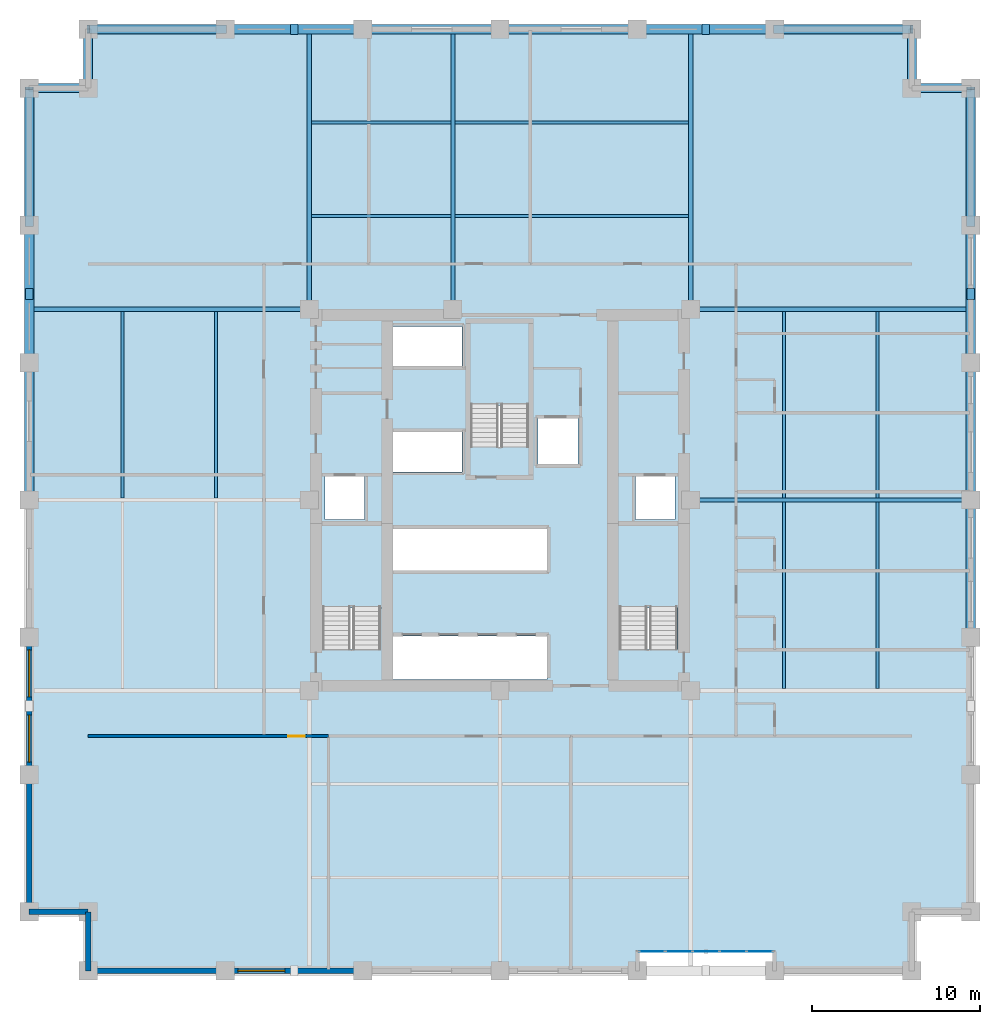
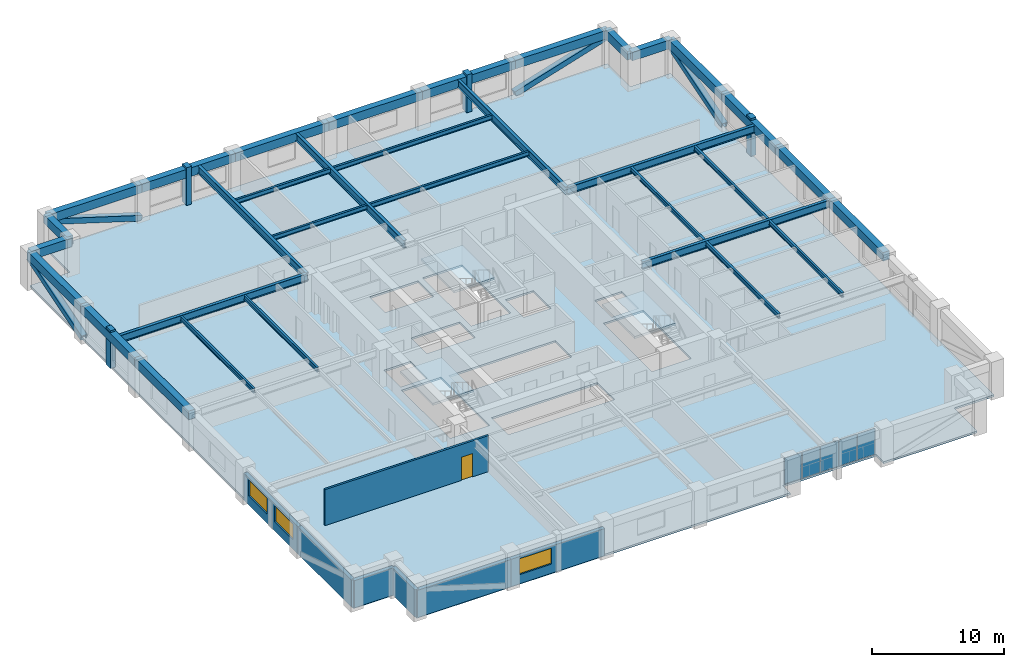
# One storey, part 3 of 9: 33 beams, 8 members, 7 walls, 5 plates, 4 slabs, 3 windows, 1 door, 4 openings, 4 elements without a shape of their own.
"""IFC4 building model written with IfcOpenShell, lengths in metres."""

from ifc_helpers import new_model, si_unit, direction, frame, frame_2d, origin, origin_2d, place, context, subcontext, project, spatial, polyline, rectangle, hollow_rectangle, i_section, outline, extrude, material, layer, layer_set, material_profile, profile_set, type_object, element, fill, aggregate, save


model = new_model("IFC4")

# Units and contexts
model_context = context("Model", 3, precision=1e-05, world=origin(), true_north=direction((0.0, 1.0)))
body_context = subcontext(model_context, "Body", "Model", "MODEL_VIEW")
ifc_project = project(units=[si_unit("LENGTHUNIT", "METRE"), si_unit("AREAUNIT", "SQUARE_METRE"), si_unit("VOLUMEUNIT", "CUBIC_METRE"), si_unit("PLANEANGLEUNIT", "RADIAN"), si_unit("MASSUNIT", "GRAM", prefix="KILO")], contexts=[model_context])

# Site, building, storey
site_placement = place(None, origin())
site = spatial("IfcSite", under=ifc_project, at=site_placement, CompositionType="ELEMENT")
building_placement = place(site_placement, origin())
building = spatial("IfcBuilding", under=site, at=building_placement, Name="Nhamokura Convention Tower", CompositionType="ELEMENT")
storey_placement = place(building_placement, frame((0.0, 0.0, 66.85009765625)))
storey = spatial("IfcBuildingStorey", under=building, at=storey_placement, Name="L15", CompositionType="ELEMENT", Elevation=66.85009765625)

# Members
ifc_material_1 = material(Name="Bronze-pigmented precast concrete C45/55", Category="concrete")
ifc_material_profile_1 = material_profile(ifc_material_1, rectangle(XDim=0.449951171875, YDim=0.64990234375, at=origin_2d()))
ifc_profile_set_1 = profile_set([ifc_material_profile_1], Name="Bronze-pigmented precast concrete C45/55")
member_type_1 = type_object("IfcMemberType", Name="BronzePilaster_650", PredefinedType="USERDEFINED", material=ifc_profile_set_1)
for number, where, z_axis, x_axis, name in (
    (1, (19.75, 60.0, 0.0), (0.0, 0.0, 1.0), (1.0, 0.0, 0.0), "L15 Engaged Frame Pilaster NORTH 1"),
    (2, (44.25, 60.0, 0.0), (0.0, 0.0, 1.0), (1.0, 0.0, 0.0), "L15 Engaged Frame Pilaster NORTH 4"),
    (3, (4.0, 44.25, 0.0), (0.0, 0.0, 1.0), (1.0, 0.0, 0.0), "L15 Engaged Frame Pilaster WEST 4"),
    (4, (60.0, 44.25, 0.0), (0.0, 0.0, 1.0), (1.0, 0.0, 0.0), "L15 Engaged Frame Pilaster EAST 4"),
):
    element("IfcMember", number, at=place(storey_placement, frame(where, z_axis=z_axis, x_axis=x_axis)), inside=storey, type_object=member_type_1, Name=name, ObjectType="PILASTER_TRIM", PredefinedType="USERDEFINED", context=body_context, shape_type="SweptSolid", body=[
        extrude(rectangle(XDim=0.449951171875, YDim=0.64990234375, at=origin_2d()), origin(), (0.0, 0.0, 1.0), 3.5),
    ])

# Beams
ifc_material_2 = material(Name="Steel ASTM A992 Gr 50", Category="steel")
ifc_material_profile_2 = material_profile(ifc_material_2, i_section(OverallWidth=0.178955078125, OverallDepth=0.409912109375, WebThickness=0.0087890625, FlangeThickness=0.014404296875, at=origin_2d()))
ifc_profile_set_2 = profile_set([ifc_material_profile_2], Name="Steel ASTM A992 Gr 50")
beam_type_1 = type_object("IfcBeamType", Name="FloorJoist_W410X67", PredefinedType="JOIST", material=ifc_profile_set_2)
beam_1_placement = place(storey_placement, frame((20.77587890625, 48.89990234375, 3.114990234375), z_axis=(1.0, 0.0, 0.0), x_axis=(0.0, 1.0, 0.0)))
element("IfcBeam", 5, at=beam_1_placement, inside=storey, type_object=beam_type_1, Name="L15 Composite Floor Joist N1A", PredefinedType="JOIST", context=body_context, shape_type="SweptSolid", body=[
    extrude(i_section(OverallWidth=0.178955078125, OverallDepth=0.409912109375, WebThickness=0.0087890625, FlangeThickness=0.014404296875, at=origin_2d()), origin(), (0.0, 0.0, 1.0), 8.298095703125),
])
beam_2_placement = place(storey_placement, frame((29.325927734375, 48.89990234375, 3.114990234375), z_axis=(1.0, 0.0, 0.0), x_axis=(0.0, 1.0, 0.0)))
element("IfcBeam", 6, at=beam_2_placement, inside=storey, type_object=beam_type_1, Name="L15 Composite Floor Joist N1B", PredefinedType="JOIST", context=body_context, shape_type="SweptSolid", body=[
    extrude(i_section(OverallWidth=0.178955078125, OverallDepth=0.409912109375, WebThickness=0.0087890625, FlangeThickness=0.014404296875, at=origin_2d()), origin(), (0.0, 0.0, 1.0), 13.898193359375),
])
beam_3_placement = place(storey_placement, frame((20.77587890625, 54.449951171875, 3.114990234375), z_axis=(1.0, 0.0, 0.0), x_axis=(0.0, 1.0, 0.0)))
element("IfcBeam", 7, at=beam_3_placement, inside=storey, type_object=beam_type_1, Name="L15 Composite Floor Joist N2A", PredefinedType="JOIST", context=body_context, shape_type="SweptSolid", body=[
    extrude(i_section(OverallWidth=0.178955078125, OverallDepth=0.409912109375, WebThickness=0.0087890625, FlangeThickness=0.014404296875, at=origin_2d()), origin(), (0.0, 0.0, 1.0), 8.298095703125),
])
beam_4_placement = place(storey_placement, frame((29.325927734375, 54.449951171875, 3.114990234375), z_axis=(1.0, 0.0, 0.0), x_axis=(0.0, 1.0, 0.0)))
element("IfcBeam", 8, at=beam_4_placement, inside=storey, type_object=beam_type_1, Name="L15 Composite Floor Joist N2B", PredefinedType="JOIST", context=body_context, shape_type="SweptSolid", body=[
    extrude(i_section(OverallWidth=0.178955078125, OverallDepth=0.409912109375, WebThickness=0.0087890625, FlangeThickness=0.014404296875, at=origin_2d()), origin(), (0.0, 0.0, 1.0), 13.898193359375),
])
for number, where, z_axis, x_axis, name in (
    (9, (9.550048828125, 32.1259765625, 3.114990234375), (0.0, 1.0, 0.0), (-1.0, 0.0, 0.0), "L15 Composite Floor Joist W1B"),
    (10, (15.10009765625, 32.1259765625, 3.114990234375), (0.0, 1.0, 0.0), (-1.0, 0.0, 0.0), "L15 Composite Floor Joist W2B"),
    (11, (48.89990234375, 20.77587890625, 3.114990234375), (0.0, 1.0, 0.0), (-1.0, 0.0, 0.0), "L15 Composite Floor Joist E1A"),
    (12, (48.89990234375, 32.1259765625, 3.114990234375), (0.0, 1.0, 0.0), (-1.0, 0.0, 0.0), "L15 Composite Floor Joist E1B"),
    (13, (54.449951171875, 20.77587890625, 3.114990234375), (0.0, 1.0, 0.0), (-1.0, 0.0, 0.0), "L15 Composite Floor Joist E2A"),
    (14, (54.449951171875, 32.1259765625, 3.114990234375), (0.0, 1.0, 0.0), (-1.0, 0.0, 0.0), "L15 Composite Floor Joist E2B"),
):
    element("IfcBeam", number, at=place(storey_placement, frame(where, z_axis=z_axis, x_axis=x_axis)), inside=storey, type_object=beam_type_1, Name=name, PredefinedType="JOIST", context=body_context, shape_type="SweptSolid", body=[
        extrude(i_section(OverallWidth=0.178955078125, OverallDepth=0.409912109375, WebThickness=0.0087890625, FlangeThickness=0.014404296875, at=origin_2d()), origin(), (0.0, 0.0, 1.0), 11.09814453125),
    ])
ifc_material_3 = material(Name="Steel ASTM A992 Gr 50", Category="steel")
ifc_material_profile_3 = material_profile(ifc_material_3, i_section(OverallWidth=0.256103515625, OverallDepth=0.693115234375, WebThickness=0.014404296875, FlangeThickness=0.023681640625, at=origin_2d()))
ifc_profile_set_3 = profile_set([ifc_material_profile_3], Name="Steel ASTM A992 Gr 50")
beam_type_2 = type_object("IfcBeamType", Name="PrimaryGirder_W690X170", PredefinedType="BEAM", material=ifc_profile_set_3)
for number, where, z_axis, x_axis, name in (
    (15, (20.64990234375, 43.35009765625, 2.973388671875), (0.0, 1.0, 0.0), (-1.0, 0.0, 0.0), "L15 Primary Floor Girder PG-N1"),
    (16, (29.199951171875, 43.35009765625, 2.973388671875), (0.0, 1.0, 0.0), (-1.0, 0.0, 0.0), "L15 Primary Floor Girder PG-N2"),
    (17, (43.35009765625, 43.35009765625, 2.973388671875), (0.0, 1.0, 0.0), (-1.0, 0.0, 0.0), "L15 Primary Floor Girder PG-N3"),
    (18, (4.0, 43.35009765625, 2.973388671875), (1.0, 0.0, 0.0), (0.0, 1.0, 0.0), "L15 Primary Floor Girder PG-W3"),
    (19, (43.35009765625, 32.0, 2.973388671875), (1.0, 0.0, 0.0), (0.0, 1.0, 0.0), "L15 Primary Floor Girder PG-E2"),
    (20, (43.35009765625, 43.35009765625, 2.973388671875), (1.0, 0.0, 0.0), (0.0, 1.0, 0.0), "L15 Primary Floor Girder PG-E3"),
):
    element("IfcBeam", number, at=place(storey_placement, frame(where, z_axis=z_axis, x_axis=x_axis)), inside=storey, type_object=beam_type_2, Name=name, PredefinedType="BEAM", context=body_context, shape_type="SweptSolid", body=[
        extrude(i_section(OverallWidth=0.256103515625, OverallDepth=0.693115234375, WebThickness=0.014404296875, FlangeThickness=0.023681640625, at=origin_2d()), origin(), (0.0, 0.0, 1.0), 16.64990234375),
    ])

# Members
ifc_material_4 = material(Name="Steel ASTM A572 Gr 50", Category="steel")
ifc_material_profile_4 = material_profile(ifc_material_4, hollow_rectangle(XDim=0.5, YDim=0.5, WallThickness=0.02490234375, at=origin_2d()))
ifc_profile_set_4 = profile_set([ifc_material_profile_4], Name="Steel ASTM A572 Gr 50")
member_type_2 = type_object("IfcMemberType", Name="TubeBrace_HSS500", PredefinedType="BRACE", material=ifc_profile_set_4)
for number, where, z_axis, x_axis, name in (
    (21, (15.666748046875, 60.0, 0.14990234375), (-0.955542765986, 0.0, 0.294852543437), (0.0, -1.0, 0.0), "L15 Perimeter Tube Brace NORTH Bay 0"),
    (22, (48.333251953125, 60.0, 0.14990234375), (0.955542765986, 0.0, 0.294852543437), (0.0, 1.0, 0.0), "L15 Perimeter Tube Brace NORTH Bay 5"),
    (23, (4.0, 48.333251953125, 0.14990234375), (0.0, 0.955542765986, 0.294852543437), (-1.0, 0.0, 0.0), "L15 Perimeter Tube Brace WEST Bay 5"),
    (24, (60.0, 48.333251953125, 0.14990234375), (0.0, 0.955542765986, 0.294852543437), (-1.0, 0.0, 0.0), "L15 Perimeter Tube Brace EAST Bay 5"),
):
    element("IfcMember", number, at=place(storey_placement, frame(where, z_axis=z_axis, x_axis=x_axis)), inside=storey, type_object=member_type_2, Name=name, PredefinedType="BRACE", context=body_context, shape_type="SweptSolid", body=[
        extrude(hollow_rectangle(XDim=0.5, YDim=0.5, WallThickness=0.02490234375, at=origin_2d()), origin(), (0.0, 0.0, 1.0), 8.546630859375),
    ])

# Beams
ifc_material_5 = material(Name="Concrete C50/60", Category="concrete")
ifc_material_profile_5 = material_profile(ifc_material_5, rectangle(XDim=0.550048828125, YDim=0.800048828125, at=origin_2d()))
ifc_profile_set_5 = profile_set([ifc_material_profile_5], Name="Concrete C50/60")
beam_type_3 = type_object("IfcBeamType", Name="TubeSpandrel_800", PredefinedType="SPANDREL", material=ifc_profile_set_5)
beam_5_placement = place(storey_placement, frame((7.5, 60.0, 2.919921875), z_axis=(1.0, 0.0, 0.0), x_axis=(0.0, 1.0, 0.0)))
element("IfcBeam", 25, at=beam_5_placement, inside=storey, type_object=beam_type_3, Name="L15 Perimeter Spandrel NORTH 1", PredefinedType="SPANDREL", context=body_context, shape_type="SweptSolid", body=[
    extrude(rectangle(XDim=0.550048828125, YDim=0.800048828125, at=origin_2d()), origin(), (0.0, 0.0, 1.0), 8.166748046875),
])
beam_6_placement = place(storey_placement, frame((15.666748046875, 60.0, 2.919921875), z_axis=(1.0, 0.0, 0.0), x_axis=(0.0, 1.0, 0.0)))
element("IfcBeam", 26, at=beam_6_placement, inside=storey, type_object=beam_type_3, Name="L15 Perimeter Spandrel NORTH 2", PredefinedType="SPANDREL", context=body_context, shape_type="SweptSolid", body=[
    extrude(rectangle(XDim=0.550048828125, YDim=0.800048828125, at=origin_2d()), origin(), (0.0, 0.0, 1.0), 8.16650390625),
])
for number, where, z_axis, x_axis, name in (
    (27, (23.833251953125, 60.0, 2.919921875), (1.0, 0.0, 0.0), (0.0, 1.0, 0.0), "L15 Perimeter Spandrel NORTH 3"),
    (28, (32.0, 60.0, 2.919921875), (1.0, 0.0, 0.0), (0.0, 1.0, 0.0), "L15 Perimeter Spandrel NORTH 4"),
):
    element("IfcBeam", number, at=place(storey_placement, frame(where, z_axis=z_axis, x_axis=x_axis)), inside=storey, type_object=beam_type_3, Name=name, PredefinedType="SPANDREL", context=body_context, shape_type="SweptSolid", body=[
        extrude(rectangle(XDim=0.550048828125, YDim=0.800048828125, at=origin_2d()), origin(), (0.0, 0.0, 1.0), 8.166748046875),
    ])
beam_7_placement = place(storey_placement, frame((40.166748046875, 60.0, 2.919921875), z_axis=(1.0, 0.0, 0.0), x_axis=(0.0, 1.0, 0.0)))
element("IfcBeam", 29, at=beam_7_placement, inside=storey, type_object=beam_type_3, Name="L15 Perimeter Spandrel NORTH 5", PredefinedType="SPANDREL", context=body_context, shape_type="SweptSolid", body=[
    extrude(rectangle(XDim=0.550048828125, YDim=0.800048828125, at=origin_2d()), origin(), (0.0, 0.0, 1.0), 8.16650390625),
])
for number, where, z_axis, x_axis, name in (
    (30, (48.333251953125, 60.0, 2.919921875), (1.0, 0.0, 0.0), (0.0, 1.0, 0.0), "L15 Perimeter Spandrel NORTH 6"),
    (31, (4.0, 32.0, 2.919921875), (0.0, 1.0, 0.0), (-1.0, 0.0, 0.0), "L15 Perimeter Spandrel WEST 4"),
):
    element("IfcBeam", number, at=place(storey_placement, frame(where, z_axis=z_axis, x_axis=x_axis)), inside=storey, type_object=beam_type_3, Name=name, PredefinedType="SPANDREL", context=body_context, shape_type="SweptSolid", body=[
        extrude(rectangle(XDim=0.550048828125, YDim=0.800048828125, at=origin_2d()), origin(), (0.0, 0.0, 1.0), 8.166748046875),
    ])
beam_8_placement = place(storey_placement, frame((4.0, 40.166748046875, 2.919921875), z_axis=(0.0, 1.0, 0.0), x_axis=(-1.0, 0.0, 0.0)))
element("IfcBeam", 32, at=beam_8_placement, inside=storey, type_object=beam_type_3, Name="L15 Perimeter Spandrel WEST 5", PredefinedType="SPANDREL", context=body_context, shape_type="SweptSolid", body=[
    extrude(rectangle(XDim=0.550048828125, YDim=0.800048828125, at=origin_2d()), origin(), (0.0, 0.0, 1.0), 8.16650390625),
])
for number, where, z_axis, x_axis, name in (
    (33, (4.0, 48.333251953125, 2.919921875), (0.0, 1.0, 0.0), (-1.0, 0.0, 0.0), "L15 Perimeter Spandrel WEST 6"),
    (34, (60.0, 23.833251953125, 2.919921875), (0.0, 1.0, 0.0), (-1.0, 0.0, 0.0), "L15 Perimeter Spandrel EAST 3"),
    (35, (60.0, 32.0, 2.919921875), (0.0, 1.0, 0.0), (-1.0, 0.0, 0.0), "L15 Perimeter Spandrel EAST 4"),
):
    element("IfcBeam", number, at=place(storey_placement, frame(where, z_axis=z_axis, x_axis=x_axis)), inside=storey, type_object=beam_type_3, Name=name, PredefinedType="SPANDREL", context=body_context, shape_type="SweptSolid", body=[
        extrude(rectangle(XDim=0.550048828125, YDim=0.800048828125, at=origin_2d()), origin(), (0.0, 0.0, 1.0), 8.166748046875),
    ])
beam_9_placement = place(storey_placement, frame((60.0, 40.166748046875, 2.919921875), z_axis=(0.0, 1.0, 0.0), x_axis=(-1.0, 0.0, 0.0)))
element("IfcBeam", 36, at=beam_9_placement, inside=storey, type_object=beam_type_3, Name="L15 Perimeter Spandrel EAST 5", PredefinedType="SPANDREL", context=body_context, shape_type="SweptSolid", body=[
    extrude(rectangle(XDim=0.550048828125, YDim=0.800048828125, at=origin_2d()), origin(), (0.0, 0.0, 1.0), 8.16650390625),
])
beam_10_placement = place(storey_placement, frame((60.0, 48.333251953125, 2.919921875), z_axis=(0.0, 1.0, 0.0), x_axis=(-1.0, 0.0, 0.0)))
element("IfcBeam", 37, at=beam_10_placement, inside=storey, type_object=beam_type_3, Name="L15 Perimeter Spandrel EAST 6", PredefinedType="SPANDREL", context=body_context, shape_type="SweptSolid", body=[
    extrude(rectangle(XDim=0.550048828125, YDim=0.800048828125, at=origin_2d()), origin(), (0.0, 0.0, 1.0), 8.166748046875),
])
for number, where, z_axis, x_axis, name in (
    (38, (60.0, 56.5, 2.919921875), (-1.0, 0.0, 0.0), (0.0, -1.0, 0.0), "L15 Notch Spandrel NE1"),
    (39, (56.5, 56.5, 2.919921875), (0.0, 1.0, 0.0), (-1.0, 0.0, 0.0), "L15 Notch Spandrel NE2"),
    (40, (7.5, 60.0, 2.919921875), (0.0, -1.0, 0.0), (1.0, 0.0, 0.0), "L15 Notch Spandrel NW1"),
    (41, (7.5, 56.5, 2.919921875), (-1.0, 0.0, 0.0), (0.0, -1.0, 0.0), "L15 Notch Spandrel NW2"),
):
    element("IfcBeam", number, at=place(storey_placement, frame(where, z_axis=z_axis, x_axis=x_axis)), inside=storey, type_object=beam_type_3, Name=name, PredefinedType="SPANDREL", context=body_context, shape_type="SweptSolid", body=[
        extrude(rectangle(XDim=0.550048828125, YDim=0.800048828125, at=origin_2d()), origin(), (0.0, 0.0, 1.0), 3.5),
    ])

# Curtain wall, plates
ifc_material_6 = material(Name="Anodised bronze aluminium AA6063-T6", Category="aluminium")
ifc_layer_1 = layer(ifc_material_6, 0.1650390625)
ifc_layer_set_1 = layer_set([ifc_layer_1], Name="CWSystem_ScaleSlot_Zone1")
curtain_wall_type = type_object("IfcCurtainWallType", Name="CWSystem_ScaleSlot_Zone1", PredefinedType="NOTDEFINED", material=ifc_layer_set_1)
curtain_wall_placement = place(storey_placement, origin())
curtain_wall = element("IfcCurtainWall", 42, at=curtain_wall_placement, inside=storey, type_object=curtain_wall_type, Name="L15 Curtain Wall ENV-L15-SLOT-S4", PredefinedType="NOTDEFINED")
ifc_material_7 = material(Name="Solar-control bronze low-E double glass", Category="glass")
ifc_layer_2 = layer(ifc_material_7, 0.031982421875)
ifc_layer_set_2 = layer_set([ifc_layer_2], Name="CWGlazedPanel_1")
plate_type = type_object("IfcPlateType", Name="CWGlazedPanel_1", PredefinedType="CURTAIN_PANEL", material=ifc_layer_set_2)
plate_1_placement = place(storey_placement, frame((47.452392578125, 5.14990234375, 0.06494140625), z_axis=(0.0, 0.0, 1.0), x_axis=(-1.0, 0.0, 0.0)))
plate_1 = element("IfcPlate", 43, at=plate_1_placement, type_object=plate_type, Name="CW-03 panel 1.1", PredefinedType="CURTAIN_PANEL", context=body_context, shape_type="SweptSolid", body=[
    extrude(rectangle(XDim=1.51171875, YDim=0.031982421875, at=origin_2d()), origin(), (0.0, 0.0, 1.0), 2.389892578125),
])
plate_2_placement = place(storey_placement, frame((45.859375, 5.14990234375, 0.06494140625), z_axis=(0.0, 0.0, 1.0), x_axis=(-1.0, 0.0, 0.0)))
plate_2 = element("IfcPlate", 44, at=plate_2_placement, type_object=plate_type, Name="CW-03 panel 2.1", PredefinedType="CURTAIN_PANEL", context=body_context, shape_type="SweptSolid", body=[
    extrude(rectangle(XDim=1.54443359375, YDim=0.031982421875, at=origin_2d()), origin(), (0.0, 0.0, 1.0), 2.389892578125),
])
plate_3_placement = place(storey_placement, frame((44.25, 5.14990234375, 0.06494140625), z_axis=(0.0, 0.0, 1.0), x_axis=(-1.0, 0.0, 0.0)))
plate_3 = element("IfcPlate", 45, at=plate_3_placement, type_object=plate_type, Name="CW-03 panel 3.1", PredefinedType="CURTAIN_PANEL", context=body_context, shape_type="SweptSolid", body=[
    extrude(rectangle(XDim=1.54443359375, YDim=0.031982421875, at=origin_2d()), origin(), (0.0, 0.0, 1.0), 2.389892578125),
])
plate_4_placement = place(storey_placement, frame((42.640625, 5.14990234375, 0.06494140625), z_axis=(0.0, 0.0, 1.0), x_axis=(-1.0, 0.0, 0.0)))
plate_4 = element("IfcPlate", 46, at=plate_4_placement, type_object=plate_type, Name="CW-03 panel 4.1", PredefinedType="CURTAIN_PANEL", context=body_context, shape_type="SweptSolid", body=[
    extrude(rectangle(XDim=1.54443359375, YDim=0.031982421875, at=origin_2d()), origin(), (0.0, 0.0, 1.0), 2.389892578125),
])
plate_5_placement = place(storey_placement, frame((41.047607421875, 5.14990234375, 0.06494140625), z_axis=(0.0, 0.0, 1.0), x_axis=(-1.0, 0.0, 0.0)))
plate_5 = element("IfcPlate", 47, at=plate_5_placement, type_object=plate_type, Name="CW-03 panel 5.1", PredefinedType="CURTAIN_PANEL", context=body_context, shape_type="SweptSolid", body=[
    extrude(rectangle(XDim=1.51171875, YDim=0.031982421875, at=origin_2d()), origin(), (0.0, 0.0, 1.0), 2.389892578125),
])
aggregate(curtain_wall, [plate_1, plate_2, plate_3, plate_4, plate_5])

# Slab
ifc_material_8 = material(Name="Concrete C40/50", Category="concrete")
ifc_layer_3 = layer(ifc_material_8, 0.179931640625)
ifc_layer_set_3 = layer_set([ifc_layer_3], Name="HotelFloorSlab_180")
slab_type_1 = type_object("IfcSlabType", Name="HotelFloorSlab_180", PredefinedType="FLOOR", material=ifc_layer_set_3)
slab_1_placement = place(storey_placement, frame((0.0, 0.0, -0.18017578125)))
element("IfcSlab", 48, at=slab_1_placement, inside=storey, type_object=slab_type_1, Name="L15 Structural Floor Slab", PredefinedType="FLOOR", context=body_context, shape_type="SweptSolid", body=[
    extrude(outline(polyline([(7.5, 4.0), (40.166748046875, 4.0), (40.166748046875, 5.14990234375), (48.333251953125, 5.14990234375), (48.333251953125, 4.0), (56.5, 4.0), (56.5, 7.5), (60.0, 7.5), (60.0, 56.5), (56.5, 56.5), (56.5, 60.0), (7.5, 60.0), (7.5, 56.5), (4.0, 56.5), (4.0, 7.5), (7.5, 7.5), (7.5, 4.0)]), holes=[polyline([(24.89990234375, 23.10009765625), (24.89990234375, 30.449951171875), (21.449951171875, 30.449951171875), (21.449951171875, 23.10009765625), (24.89990234375, 23.10009765625)]), polyline([(42.550048828125, 23.10009765625), (42.550048828125, 30.449951171875), (39.10009765625, 30.449951171875), (39.10009765625, 23.10009765625), (42.550048828125, 23.10009765625)]), polyline([(33.699951171875, 35.14990234375), (33.699951171875, 42.5), (30.25, 42.5), (30.25, 35.14990234375), (33.699951171875, 35.14990234375)]), polyline([(21.60009765625, 30.85009765625), (23.949951171875, 30.85009765625), (23.949951171875, 33.39990234375), (21.60009765625, 33.39990234375), (21.60009765625, 30.85009765625)]), polyline([(40.050048828125, 30.85009765625), (42.39990234375, 30.85009765625), (42.39990234375, 33.39990234375), (40.050048828125, 33.39990234375), (40.050048828125, 30.85009765625)]), polyline([(34.25, 34.14990234375), (36.64990234375, 34.14990234375), (36.64990234375, 36.85009765625), (34.25, 36.85009765625), (34.25, 34.14990234375)]), polyline([(25.52001953125, 21.320068359375), (34.800048828125, 21.320068359375), (34.800048828125, 23.89990234375), (25.52001953125, 23.89990234375), (25.52001953125, 21.320068359375)]), polyline([(25.52001953125, 27.800048828125), (34.800048828125, 27.800048828125), (34.800048828125, 30.300048828125), (25.52001953125, 30.300048828125), (25.52001953125, 27.800048828125)]), polyline([(25.52001953125, 33.679931640625), (29.75, 33.679931640625), (29.75, 36.050048828125), (25.52001953125, 36.050048828125), (25.52001953125, 33.679931640625)]), polyline([(25.52001953125, 39.949951171875), (29.75, 39.949951171875), (29.75, 42.320068359375), (25.52001953125, 42.320068359375), (25.52001953125, 39.949951171875)])]), origin(), (0.0, 0.0, 1.0), 0.18017578125),
])

# Stair, slab
ifc_material_9 = material(Name="Concrete C40/50", Category="concrete")
stair_type = type_object("IfcStairType", Name="TowerCoreStair_1650", PredefinedType="HALF_TURN_STAIR", material=ifc_material_9)
stair_1_placement = place(storey_placement, origin())
stair_1 = element("IfcStair", 49, at=stair_1_placement, inside=storey, type_object=stair_type, Name="L15 West Core Smokeproof Stair ST-01", PredefinedType="HALF_TURN_STAIR")
ifc_material_10 = material(Name="Concrete C40/50", Category="concrete")
ifc_layer_4 = layer(ifc_material_10, 0.199951171875)
ifc_layer_set_4 = layer_set([ifc_layer_4], Name="StairLandingSlab_200")
slab_type_2 = type_object("IfcSlabType", Name="StairLandingSlab_200", PredefinedType="LANDING", material=ifc_layer_set_4)
slab_2_placement = place(storey_placement, frame((0.0, 0.0, 1.5498046875)))
slab_2 = element("IfcSlab", 50, at=slab_2_placement, type_object=slab_type_2, Name="ST-01 landing 1", PredefinedType="LANDING", context=body_context, shape_type="SweptSolid", body=[
    extrude(outline(polyline([(24.97998046875, 25.5849609375), (24.97998046875, 30.530029296875), (21.3701171875, 30.530029296875), (21.3701171875, 25.5849609375), (24.97998046875, 25.5849609375)])), origin(), (0.0, 0.0, 1.0), 0.2001953125),
])
aggregate(stair_1, [slab_2])

stair_2_placement = place(storey_placement, origin())
stair_2 = element("IfcStair", 51, at=stair_2_placement, inside=storey, type_object=stair_type, Name="L15 East Core Smokeproof Stair ST-02", PredefinedType="HALF_TURN_STAIR")
slab_3_placement = place(storey_placement, frame((0.0, 0.0, 1.5498046875)))
slab_3 = element("IfcSlab", 52, at=slab_3_placement, type_object=slab_type_2, Name="ST-02 landing 1", PredefinedType="LANDING", context=body_context, shape_type="SweptSolid", body=[
    extrude(outline(polyline([(42.6298828125, 25.5849609375), (42.6298828125, 30.530029296875), (39.02001953125, 30.530029296875), (39.02001953125, 25.5849609375), (42.6298828125, 25.5849609375)])), origin(), (0.0, 0.0, 1.0), 0.2001953125),
])
aggregate(stair_2, [slab_3])

stair_3_placement = place(storey_placement, origin())
stair_3 = element("IfcStair", 53, at=stair_3_placement, inside=storey, type_object=stair_type, Name="L15 North Core Smokeproof Stair ST-03", PredefinedType="HALF_TURN_STAIR")
slab_4_placement = place(storey_placement, frame((0.0, 0.0, 1.5498046875)))
slab_4 = element("IfcSlab", 54, at=slab_4_placement, type_object=slab_type_2, Name="ST-03 landing 1", PredefinedType="LANDING", context=body_context, shape_type="SweptSolid", body=[
    extrude(outline(polyline([(33.780029296875, 37.635009765625), (33.780029296875, 42.580078125), (30.169921875, 42.580078125), (30.169921875, 37.635009765625), (33.780029296875, 37.635009765625)])), origin(), (0.0, 0.0, 1.0), 0.2001953125),
])
aggregate(stair_3, [slab_4])

# Wall
ifc_material_11 = material(Name="Bronze-pigmented precast concrete C45/55", Category="concrete")
ifc_layer_5 = layer(ifc_material_11, 0.320068359375)
ifc_layer_set_5 = layer_set([ifc_layer_5], Name="BronzePrecastSpandrel_320")
wall_type_1 = type_object("IfcWallType", Name="BronzePrecastSpandrel_320", PredefinedType="USERDEFINED", material=ifc_layer_set_5)
wall_1_placement = place(storey_placement, frame((15.666748046875, 4.0, 0.0), z_axis=(0.0, 0.0, 1.0), x_axis=(-1.0, 0.0, 0.0)))
element("IfcWall", 55, at=wall_1_placement, inside=storey, type_object=wall_type_1, Name="L15 Braced-Bay Precast Wall SOUTH 0", ObjectType="SPANDREL_WALL", PredefinedType="USERDEFINED", context=body_context, shape_type="SweptSolid", body=[
    extrude(rectangle(XDim=8.166748046875, YDim=0.320068359375, at=frame_2d((4.08349609375, 0.0))), origin(), (0.0, 0.0, 1.0), 2.52001953125),
])

# Wall, opening, window
wall_2_placement = place(storey_placement, frame((23.833251953125, 4.0, 0.0), z_axis=(0.0, 0.0, 1.0), x_axis=(-1.0, 0.0, 0.0)))
wall_2 = element("IfcWall", 56, at=wall_2_placement, inside=storey, type_object=wall_type_1, Name="L15 Masonry-Frame Wall SOUTH 1", ObjectType="SPANDREL_WALL", PredefinedType="USERDEFINED", context=body_context, shape_type="SweptSolid", body=[
    extrude(rectangle(XDim=8.16650390625, YDim=0.320068359375, at=frame_2d((4.083251953125, 0.0))), origin(), (0.0, 0.0, 1.0), 2.52001953125),
])
opening_1_placement = place(wall_2_placement, frame((4.625, 0.0, 0.85009765625)))
opening_1 = element("IfcOpeningElement", 57, at=opening_1_placement, cuts=wall_2, Name="Opening W-04", PredefinedType="OPENING", context=body_context, shape_type="SweptSolid", body=[
    extrude(rectangle(XDim=2.800048828125, YDim=1.469970703125, at=frame_2d((1.39990234375, 0.73486328125))), frame((0.0, 0.169921875, 0.0), z_axis=(0.0, -1.0, 0.0), x_axis=(1.0, 0.0, 0.0)), (0.0, 0.0, 1.0), 0.340087890625),
])
ifc_material_12 = material(Name="Solar-control bronze low-E double glass", Category="glass")
window_type = type_object("IfcWindowType", Name="HotelSuiteWindow_2800", PartitioningType="DOUBLE_PANEL_VERTICAL", PredefinedType="WINDOW", material=ifc_material_12)
window_1_placement = place(opening_1_placement, origin())
window_1 = element("IfcWindow", 58, at=window_1_placement, inside=storey, type_object=window_type, Name="L15 Facade Window SOUTH 1-3", OverallHeight=1.469970703125, OverallWidth=2.800048828125, PartitioningType="SINGLE_PANEL", PredefinedType="WINDOW", context=body_context, shape_type="SweptSolid", body=[
    extrude(rectangle(XDim=2.800048828125, YDim=1.469970703125, at=frame_2d((1.39990234375, 0.73486328125))), frame((0.0, 0.030029296875, 0.0), z_axis=(0.0, -1.0, 0.0), x_axis=(1.0, 0.0, 0.0)), (0.0, 0.0, 1.0), 0.06005859375),
])
fill(opening_1, window_1)

# Wall
wall_3_placement = place(storey_placement, frame((4.0, 7.5, 0.0), z_axis=(0.0, 0.0, 1.0), x_axis=(0.0, 1.0, 0.0)))
element("IfcWall", 59, at=wall_3_placement, inside=storey, type_object=wall_type_1, Name="L15 Braced-Bay Precast Wall WEST 0", ObjectType="SPANDREL_WALL", PredefinedType="USERDEFINED", context=body_context, shape_type="SweptSolid", body=[
    extrude(rectangle(XDim=8.166748046875, YDim=0.320068359375, at=frame_2d((4.08349609375, 0.0))), origin(), (0.0, 0.0, 1.0), 2.52001953125),
])

# Wall, openings, windows
wall_4_placement = place(storey_placement, frame((4.0, 15.666748046875, 0.0), z_axis=(0.0, 0.0, 1.0), x_axis=(0.0, 1.0, 0.0)))
wall_4 = element("IfcWall", 60, at=wall_4_placement, inside=storey, type_object=wall_type_1, Name="L15 Masonry-Frame Wall WEST 1", ObjectType="SPANDREL_WALL", PredefinedType="USERDEFINED", context=body_context, shape_type="SweptSolid", body=[
    extrude(rectangle(XDim=8.16650390625, YDim=0.320068359375, at=frame_2d((4.083251953125, 0.0))), origin(), (0.0, 0.0, 1.0), 2.52001953125),
])
opening_2_placement = place(wall_4_placement, frame((0.74169921875, 0.0, 0.85009765625)))
opening_2 = element("IfcOpeningElement", 61, at=opening_2_placement, cuts=wall_4, Name="Opening W-04", PredefinedType="OPENING", context=body_context, shape_type="SweptSolid", body=[
    extrude(rectangle(XDim=2.800048828125, YDim=1.469970703125, at=frame_2d((1.39990234375, 0.73486328125))), frame((0.0, 0.169921875, 0.0), z_axis=(0.0, -1.0, 0.0), x_axis=(1.0, 0.0, 0.0)), (0.0, 0.0, 1.0), 0.340087890625),
])
opening_3_placement = place(wall_4_placement, frame((4.625, 0.0, 0.85009765625)))
opening_3 = element("IfcOpeningElement", 62, at=opening_3_placement, cuts=wall_4, Name="Opening W-04", PredefinedType="OPENING", context=body_context, shape_type="SweptSolid", body=[
    extrude(rectangle(XDim=2.800048828125, YDim=1.469970703125, at=frame_2d((1.39990234375, 0.73486328125))), frame((0.0, 0.169921875, 0.0), z_axis=(0.0, -1.0, 0.0), x_axis=(1.0, 0.0, 0.0)), (0.0, 0.0, 1.0), 0.340087890625),
])
window_2_placement = place(opening_2_placement, origin())
window_2 = element("IfcWindow", 63, at=window_2_placement, inside=storey, type_object=window_type, Name="L15 Facade Window WEST 1-1", OverallHeight=1.469970703125, OverallWidth=2.800048828125, PartitioningType="SINGLE_PANEL", PredefinedType="WINDOW", context=body_context, shape_type="SweptSolid", body=[
    extrude(rectangle(XDim=2.800048828125, YDim=1.469970703125, at=frame_2d((1.39990234375, 0.73486328125))), frame((0.0, 0.030029296875, 0.0), z_axis=(0.0, -1.0, 0.0), x_axis=(1.0, 0.0, 0.0)), (0.0, 0.0, 1.0), 0.06005859375),
])
fill(opening_2, window_2)
window_3_placement = place(opening_3_placement, origin())
window_3 = element("IfcWindow", 64, at=window_3_placement, inside=storey, type_object=window_type, Name="L15 Facade Window WEST 1-2", OverallHeight=1.469970703125, OverallWidth=2.800048828125, PartitioningType="SINGLE_PANEL", PredefinedType="WINDOW", context=body_context, shape_type="SweptSolid", body=[
    extrude(rectangle(XDim=2.800048828125, YDim=1.469970703125, at=frame_2d((1.39990234375, 0.73486328125))), frame((0.0, 0.030029296875, 0.0), z_axis=(0.0, -1.0, 0.0), x_axis=(1.0, 0.0, 0.0)), (0.0, 0.0, 1.0), 0.06005859375),
])
fill(opening_3, window_3)

# Walls
for number, where, z_axis, x_axis, name in (
    (65, (7.5, 4.0, 0.0), (0.0, 0.0, 1.0), (0.0, 1.0, 0.0), "L15 Notched Corner Wall SW1"),
    (66, (7.5, 7.5, 0.0), (0.0, 0.0, 1.0), (-1.0, 0.0, 0.0), "L15 Notched Corner Wall SW2"),
):
    element("IfcWall", number, at=place(storey_placement, frame(where, z_axis=z_axis, x_axis=x_axis)), inside=storey, type_object=wall_type_1, Name=name, ObjectType="SPANDREL_WALL", PredefinedType="USERDEFINED", context=body_context, shape_type="SweptSolid", body=[
        extrude(rectangle(XDim=3.5, YDim=0.320068359375, at=frame_2d((1.75, 0.0))), origin(), (0.0, 0.0, 1.0), 2.52001953125),
    ])

# Wall, opening, door
ifc_material_13 = material(Name="Fire-rated gypsum and masonry partition", Category="masonry")
ifc_layer_6 = layer(ifc_material_13, 0.179931640625)
ifc_layer_set_6 = layer_set([ifc_layer_6], Name="CorridorRatedWall_180")
wall_type_2 = type_object("IfcWallType", Name="CorridorRatedWall_180", PredefinedType="STANDARD", material=ifc_layer_set_6)
wall_5_placement = place(storey_placement, frame((7.5, 17.949951171875, 0.0), z_axis=(0.0, 0.0, 1.0), x_axis=(1.0, 0.0, 0.0)))
wall_5 = element("IfcWall", 67, at=wall_5_placement, inside=storey, type_object=wall_type_2, Name="L15 Wall INT-L15-CW-S00", PredefinedType="STANDARD", context=body_context, shape_type="SweptSolid", body=[
    extrude(rectangle(XDim=14.300048828125, YDim=0.179931640625, at=frame_2d((7.14990234375, 0.0))), origin(), (0.0, 0.0, 1.0), 3.31982421875),
])
opening_4_placement = place(wall_5_placement, frame((11.89990234375, 0.0, 0.0)))
opening_4 = element("IfcOpeningElement", 68, at=opening_4_placement, cuts=wall_5, Name="Opening D-07", PredefinedType="OPENING", context=body_context, shape_type="SweptSolid", body=[
    extrude(rectangle(XDim=1.0, YDim=2.14990234375, at=frame_2d((0.5, 1.074951171875))), frame((0.0, 0.099853515625, 0.0), z_axis=(0.0, -1.0, 0.0), x_axis=(1.0, 0.0, 0.0)), (0.0, 0.0, 1.0), 0.199951171875),
])
ifc_material_14 = material(Name="Solid oak hardwood", Category="wood")
door_type = type_object("IfcDoorType", Name="HotelSuiteEntryDoor_1000", OperationType="NOTDEFINED", PredefinedType="DOOR", material=ifc_material_14)
door_placement = place(opening_4_placement, origin())
door = element("IfcDoor", 69, at=door_placement, inside=storey, type_object=door_type, Name="L15 Conference Salon S01 Door", OperationType="SINGLE_SWING_LEFT", OverallHeight=2.14990234375, OverallWidth=1.0, PredefinedType="DOOR", context=body_context, shape_type="SweptSolid", body=[
    extrude(rectangle(XDim=1.0, YDim=2.14990234375, at=frame_2d((0.5, 1.074951171875))), frame((0.0, 0.02490234375, 0.0), z_axis=(0.0, -1.0, 0.0), x_axis=(1.0, 0.0, 0.0)), (0.0, 0.0, 1.0), 0.050048828125),
])
fill(opening_4, door)

save(model, "model.ifc")
